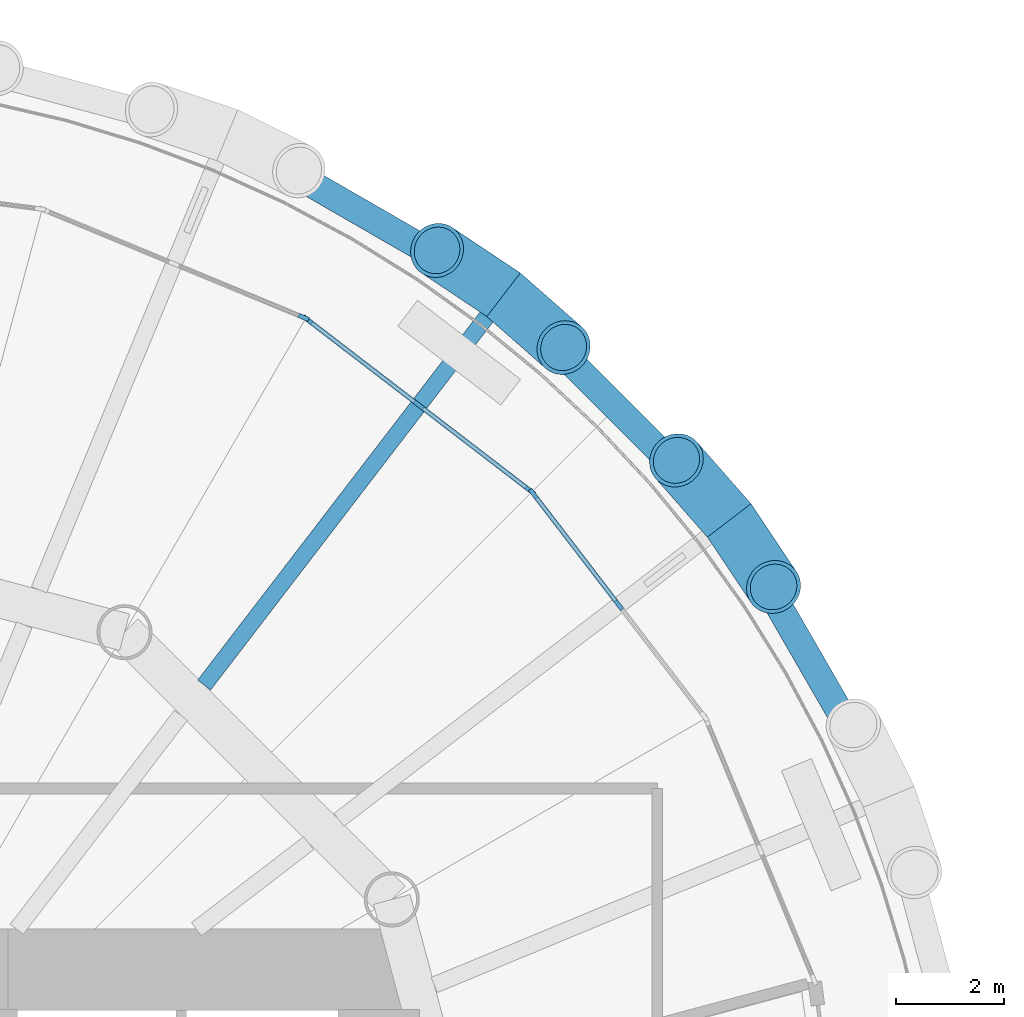
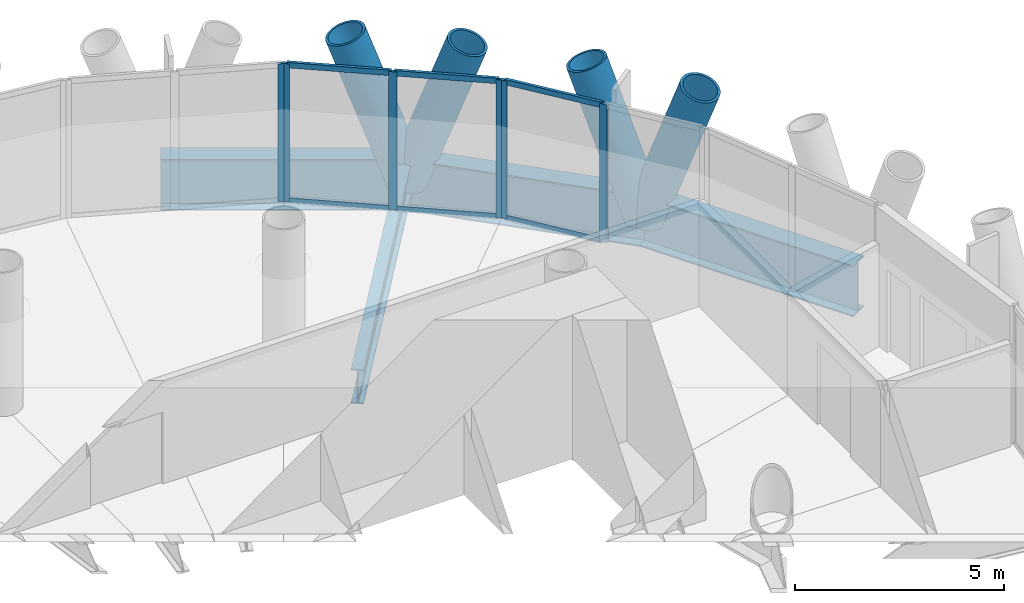
# One storey, part 6 of 13: 16 members, 4 beams, 3 elements without a shape of their own.
"""IFC4 building model written with IfcOpenShell, lengths in metres."""

from ifc_helpers import new_model, si_unit, direction, frame, origin, origin_2d, place, context, subcontext, project, spatial, rectangle, hollow_circle, i_section, extrude, material, material_profile, profile_set, type_object, element, aggregate, save


model = new_model("IFC4")

# Units and contexts
model_context = context("Model", 3, precision=1e-05, world=origin(), true_north=direction((0.0, 1.0)))
body_context = subcontext(model_context, "Body", "Model", "MODEL_VIEW")
ifc_project = project(units=[si_unit("LENGTHUNIT", "METRE"), si_unit("AREAUNIT", "SQUARE_METRE"), si_unit("VOLUMEUNIT", "CUBIC_METRE"), si_unit("PLANEANGLEUNIT", "RADIAN"), si_unit("MASSUNIT", "GRAM", prefix="KILO")], contexts=[model_context])

# Site, building, storey
site_placement = place(None, origin())
site = spatial("IfcSite", under=ifc_project, at=site_placement, CompositionType="ELEMENT")
building_placement = place(site_placement, origin())
building = spatial("IfcBuilding", under=site, at=building_placement, Name="Qaws Media Tower", CompositionType="ELEMENT")
storey_placement = place(building_placement, frame((0.0, 0.0, 219.199951171875)))
storey = spatial("IfcBuildingStorey", under=building, at=storey_placement, Name="L50", CompositionType="ELEMENT", Elevation=219.199951171875)

# Curtain wall, members
ifc_material_1 = material(Name="Aluminium and clear glass", Category="aluminium")
curtain_wall_type = type_object("IfcCurtainWallType", Name="Unitised curtain wall CW-C", PredefinedType="NOTDEFINED", material=ifc_material_1)
curtain_wall_1_placement = place(storey_placement, origin())
curtain_wall_1 = element("IfcCurtainWall", 1, at=curtain_wall_1_placement, inside=storey, type_object=curtain_wall_type, Name="CWC curtain wall L50-03", PredefinedType="NOTDEFINED")
ifc_material_2 = material(Name="Aluminium mullion", Category="aluminium")
ifc_material_profile_1 = material_profile(ifc_material_2, rectangle(XDim=0.080078125, YDim=0.199951171875, at=origin_2d()), Name="80x200")
ifc_profile_set_1 = profile_set([ifc_material_profile_1], Name="Aluminium mullion")
member_type_1 = type_object("IfcMemberType", Name="Curtain wall mullion 80x200", PredefinedType="MULLION", material=ifc_profile_set_1)
member_1_placement = place(storey_placement, frame((75.888671875, 62.19189453125, 0.0), z_axis=(0.0, 0.0, 1.0), x_axis=(-0.793353357865, -0.608761406106, 0.0)))
member_1 = element("IfcMember", 2, at=member_1_placement, type_object=member_type_1, Name="CWC mullion 2", PredefinedType="MULLION", context=body_context, shape_type="SweptSolid", body=[
    extrude(rectangle(XDim=0.080078125, YDim=0.199951171875, at=origin_2d()), origin(), (0.0, 0.0, 1.0), 4.0400390625),
])
member_2_placement = place(storey_placement, frame((74.307861328125, 64.251708984375, 0.0), z_axis=(0.0, 0.0, 1.0), x_axis=(-0.793353357865, -0.608761406106, 0.0)))
member_2 = element("IfcMember", 3, at=member_2_placement, type_object=member_type_1, Name="CWC mullion 3", PredefinedType="MULLION", context=body_context, shape_type="SweptSolid", body=[
    extrude(rectangle(XDim=0.080078125, YDim=0.199951171875, at=origin_2d()), origin(), (0.0, 0.0, 1.0), 4.0400390625),
])

curtain_wall_2_placement = place(storey_placement, origin())
curtain_wall_2 = element("IfcCurtainWall", 4, at=curtain_wall_2_placement, inside=storey, type_object=curtain_wall_type, Name="CWC curtain wall L50-04", PredefinedType="NOTDEFINED")
member_3_placement = place(storey_placement, frame((74.251708984375, 64.307861328125, 0.0), z_axis=(0.0, 0.0, 1.0), x_axis=(-0.608761406106, -0.793353357865, 0.0)))
member_3 = element("IfcMember", 5, at=member_3_placement, type_object=member_type_1, Name="CWC mullion 1", PredefinedType="MULLION", context=body_context, shape_type="SweptSolid", body=[
    extrude(rectangle(XDim=0.080078125, YDim=0.199951171875, at=origin_2d()), origin(), (0.0, 0.0, 1.0), 4.0400390625),
])
member_4_placement = place(storey_placement, frame((72.19189453125, 65.888671875, 0.0), z_axis=(0.0, 0.0, 1.0), x_axis=(-0.608761406106, -0.793353357865, 0.0)))
member_4 = element("IfcMember", 6, at=member_4_placement, type_object=member_type_1, Name="CWC mullion 2", PredefinedType="MULLION", context=body_context, shape_type="SweptSolid", body=[
    extrude(rectangle(XDim=0.080078125, YDim=0.199951171875, at=origin_2d()), origin(), (0.0, 0.0, 1.0), 4.0400390625),
])
member_5_placement = place(storey_placement, frame((70.1318359375, 67.469482421875, 0.0), z_axis=(0.0, 0.0, 1.0), x_axis=(-0.608761406106, -0.793353357865, 0.0)))
member_5 = element("IfcMember", 7, at=member_5_placement, type_object=member_type_1, Name="CWC mullion 3", PredefinedType="MULLION", context=body_context, shape_type="SweptSolid", body=[
    extrude(rectangle(XDim=0.080078125, YDim=0.199951171875, at=origin_2d()), origin(), (0.0, 0.0, 1.0), 4.0400390625),
])

# Curtain wall, member
curtain_wall_3_placement = place(storey_placement, origin())
curtain_wall_3 = element("IfcCurtainWall", 8, at=curtain_wall_3_placement, inside=storey, type_object=curtain_wall_type, Name="CWC curtain wall L50-05", PredefinedType="NOTDEFINED")
member_6_placement = place(storey_placement, frame((70.06298828125, 67.509033203125, 0.0), z_axis=(0.0, 0.0, 1.0), x_axis=(-0.382683527066, -0.923879493285, 0.0)))
member_6 = element("IfcMember", 9, at=member_6_placement, type_object=member_type_1, Name="CWC mullion 1", PredefinedType="MULLION", context=body_context, shape_type="SweptSolid", body=[
    extrude(rectangle(XDim=0.080078125, YDim=0.199951171875, at=origin_2d()), origin(), (0.0, 0.0, 1.0), 4.0400390625),
])
aggregate(curtain_wall_3, [member_6])

# Member
ifc_material_3 = material(Name="Aluminium transom", Category="aluminium")
ifc_material_profile_2 = material_profile(ifc_material_3, rectangle(XDim=0.080078125, YDim=0.159912109375, at=origin_2d()), Name="80x160")
ifc_profile_set_2 = profile_set([ifc_material_profile_2], Name="Aluminium transom")
member_type_2 = type_object("IfcMemberType", Name="Curtain wall transom 80x160", PredefinedType="USERDEFINED", material=ifc_profile_set_2)
member_7_placement = place(storey_placement, frame((75.8642578125, 62.2236328125, 0.0400390625), z_axis=(-0.608796065599, 0.793326761499, 0.0), x_axis=(-0.793326761499, -0.608796065599, 0.0)))
member_7 = element("IfcMember", 10, at=member_7_placement, type_object=member_type_2, Name="CWC transom 2.1", ObjectType="TRANSOM", PredefinedType="USERDEFINED", context=body_context, shape_type="SweptSolid", body=[
    extrude(rectangle(XDim=0.080078125, YDim=0.159912109375, at=origin_2d()), origin(), (0.0, 0.0, 1.0), 2.516357421875),
])

member_8_placement = place(storey_placement, frame((75.8642578125, 62.2236328125, 4.0), z_axis=(-0.608796065599, 0.793326761499, 0.0), x_axis=(-0.793326761499, -0.608796065599, 0.0)))
member_8 = element("IfcMember", 11, at=member_8_placement, type_object=member_type_2, Name="CWC transom 2.2", ObjectType="TRANSOM", PredefinedType="USERDEFINED", context=body_context, shape_type="SweptSolid", body=[
    extrude(rectangle(XDim=0.080078125, YDim=0.159912109375, at=origin_2d()), origin(), (0.0, 0.0, 1.0), 2.516357421875),
])

aggregate(curtain_wall_1, [member_1, member_2, member_7, member_8])

member_9_placement = place(storey_placement, frame((74.219970703125, 64.332275390625, 0.0400390625), z_axis=(-0.793326761499, 0.608796065599, 0.0), x_axis=(-0.608796065599, -0.793326761499, 0.0)))
member_9 = element("IfcMember", 12, at=member_9_placement, type_object=member_type_2, Name="CWC transom 1.1", ObjectType="TRANSOM", PredefinedType="USERDEFINED", context=body_context, shape_type="SweptSolid", body=[
    extrude(rectangle(XDim=0.080078125, YDim=0.159912109375, at=origin_2d()), origin(), (0.0, 0.0, 1.0), 2.516357421875),
])

member_10_placement = place(storey_placement, frame((74.219970703125, 64.332275390625, 4.0), z_axis=(-0.793326761499, 0.608796065599, 0.0), x_axis=(-0.608796065599, -0.793326761499, 0.0)))
member_10 = element("IfcMember", 13, at=member_10_placement, type_object=member_type_2, Name="CWC transom 1.2", ObjectType="TRANSOM", PredefinedType="USERDEFINED", context=body_context, shape_type="SweptSolid", body=[
    extrude(rectangle(XDim=0.080078125, YDim=0.159912109375, at=origin_2d()), origin(), (0.0, 0.0, 1.0), 2.516357421875),
])

member_11_placement = place(storey_placement, frame((72.16015625, 65.9130859375, 0.0400390625), z_axis=(-0.793362715866, 0.608749210327, 0.0), x_axis=(-0.608749210327, -0.793362715866, 0.0)))
member_11 = element("IfcMember", 14, at=member_11_placement, type_object=member_type_2, Name="CWC transom 2.1", ObjectType="TRANSOM", PredefinedType="USERDEFINED", context=body_context, shape_type="SweptSolid", body=[
    extrude(rectangle(XDim=0.080078125, YDim=0.159912109375, at=origin_2d()), origin(), (0.0, 0.0, 1.0), 2.5166015625),
])

member_12_placement = place(storey_placement, frame((72.16015625, 65.9130859375, 4.0), z_axis=(-0.793362715866, 0.608749210327, 0.0), x_axis=(-0.608749210327, -0.793362715866, 0.0)))
member_12 = element("IfcMember", 15, at=member_12_placement, type_object=member_type_2, Name="CWC transom 2.2", ObjectType="TRANSOM", PredefinedType="USERDEFINED", context=body_context, shape_type="SweptSolid", body=[
    extrude(rectangle(XDim=0.080078125, YDim=0.159912109375, at=origin_2d()), origin(), (0.0, 0.0, 1.0), 2.5166015625),
])

aggregate(curtain_wall_2, [member_3, member_4, member_5, member_9, member_10, member_11, member_12])

# Members
ifc_material_4 = material(Name="Steel S460", Category="steel")
ifc_material_profile_3 = material_profile(ifc_material_4, hollow_circle(Radius=0.508056640625, WallThickness=0.070068359375, at=origin_2d()), Name="CHS 1016x70")
ifc_profile_set_3 = profile_set([ifc_material_profile_3], Name="Steel S460")
member_type_3 = type_object("IfcMemberType", Name="Diagrid member CHS 1016x70", PredefinedType="USERDEFINED", material=ifc_profile_set_3)
member_13_placement = place(storey_placement, frame((77.9296875, 63.758056640625, -0.909912109375), z_axis=(-0.219115557544, 0.249328938977, 0.943304538646), x_axis=(-0.751152487115, -0.660128730704, 0.0)))
element("IfcMember", 16, at=member_13_placement, inside=storey, type_object=member_type_3, Name="DG3 diagrid L50 A03", ObjectType="DIAGRID", PredefinedType="USERDEFINED", context=body_context, shape_type="SweptSolid", body=[
    extrude(hollow_circle(Radius=0.508056640625, WallThickness=0.070068359375, at=origin_2d()), origin(), (0.0, 0.0, 1.0), 4.452392578125),
])
for number, where, z_axis, x_axis, name in (
    (17, (77.9296875, 63.758056640625, -0.909912109375), (0.184180633608, -0.27624353442, 0.943274617434), (0.832024885798, 0.554738307145, 0.0), "DG3 diagrid L50 B03"),
    (18, (73.758056640625, 67.9296875, -0.909912109375), (-0.27624353442, 0.184180633608, 0.943274617434), (-0.554738307145, -0.832024885798, 0.0), "DG3 diagrid L50 A04"),
):
    element("IfcMember", number, at=place(storey_placement, frame(where, z_axis=z_axis, x_axis=x_axis)), inside=storey, type_object=member_type_3, Name=name, ObjectType="DIAGRID", PredefinedType="USERDEFINED", context=body_context, shape_type="SweptSolid", body=[
        extrude(hollow_circle(Radius=0.508056640625, WallThickness=0.070068359375, at=origin_2d()), origin(), (0.0, 0.0, 1.0), 4.45263671875),
    ])
member_14_placement = place(storey_placement, frame((73.758056640625, 67.9296875, -0.909912109375), z_axis=(0.249328938977, -0.219115557544, 0.943304538646), x_axis=(0.660128730704, 0.751152487115, 0.0)))
element("IfcMember", 19, at=member_14_placement, inside=storey, type_object=member_type_3, Name="DG3 diagrid L50 B04", ObjectType="DIAGRID", PredefinedType="USERDEFINED", context=body_context, shape_type="SweptSolid", body=[
    extrude(hollow_circle(Radius=0.508056640625, WallThickness=0.070068359375, at=origin_2d()), origin(), (0.0, 0.0, 1.0), 4.452392578125),
])

# Beams
ifc_material_5 = material(Name="Steel S460", Category="steel")
ifc_material_profile_4 = material_profile(ifc_material_5, i_section(OverallWidth=0.5, OverallDepth=1.5, WebThickness=0.02001953125, FlangeThickness=0.0400390625, at=origin_2d()), Name="PG 1500x500")
ifc_profile_set_4 = profile_set([ifc_material_profile_4], Name="Steel S460")
beam_type_1 = type_object("IfcBeamType", Name="Edge ring beam PG 1500x500", PredefinedType="BEAM", material=ifc_profile_set_4)
beam_1_placement = place(storey_placement, frame((80.879638671875, 58.648681640625, -0.909912109375), z_axis=(-0.500006628179, 0.86602157697, 0.0), x_axis=(-0.86602157697, -0.500006628179, 0.0)))
element("IfcBeam", 20, at=beam_1_placement, inside=storey, type_object=beam_type_1, Name="RB4 edge ring beam L50-02", PredefinedType="BEAM", context=body_context, shape_type="SweptSolid", body=[
    extrude(i_section(OverallWidth=0.5, OverallDepth=1.5, WebThickness=0.02001953125, FlangeThickness=0.0400390625, at=origin_2d()), origin(), (0.0, 0.0, 1.0), 5.89990234375),
])
beam_2_placement = place(storey_placement, frame((77.9296875, 63.758056640625, -0.909912109375), z_axis=(-0.707106781187, 0.707106781187, 0.0), x_axis=(-0.707106781187, -0.707106781187, 0.0)))
element("IfcBeam", 21, at=beam_2_placement, inside=storey, type_object=beam_type_1, Name="RB4 edge ring beam L50-03", PredefinedType="BEAM", context=body_context, shape_type="SweptSolid", body=[
    extrude(i_section(OverallWidth=0.5, OverallDepth=1.5, WebThickness=0.02001953125, FlangeThickness=0.0400390625, at=origin_2d()), origin(), (0.0, 0.0, 1.0), 5.899658203125),
])
beam_3_placement = place(storey_placement, frame((73.758056640625, 67.9296875, -0.909912109375), z_axis=(-0.86602157697, 0.500006628179, 0.0), x_axis=(-0.500006628179, -0.86602157697, 0.0)))
element("IfcBeam", 22, at=beam_3_placement, inside=storey, type_object=beam_type_1, Name="RB4 edge ring beam L50-04", PredefinedType="BEAM", context=body_context, shape_type="SweptSolid", body=[
    extrude(i_section(OverallWidth=0.5, OverallDepth=1.5, WebThickness=0.02001953125, FlangeThickness=0.0400390625, at=origin_2d()), origin(), (0.0, 0.0, 1.0), 5.89990234375),
])
ifc_material_6 = material(Name="Steel S355", Category="steel")
ifc_material_profile_5 = material_profile(ifc_material_6, i_section(OverallWidth=0.302001953125, OverallDepth=1.008056640625, WebThickness=0.02099609375, FlangeThickness=0.0400390625, FilletRadius=0.030029296875, at=origin_2d()), Name="HE 1000 M")
ifc_profile_set_5 = profile_set([ifc_material_profile_5], Name="Steel S355")
beam_type_2 = type_object("IfcBeamType", Name="Radial beam HE 1000 M", PredefinedType="BEAM", material=ifc_profile_set_5)
beam_4_placement = place(storey_placement, frame((68.2216796875, 60.714599609375, -0.6640625), z_axis=(0.608764563717, 0.793350934935, 0.0), x_axis=(-0.793350934935, 0.608764563717, 0.0)))
element("IfcBeam", 23, at=beam_4_placement, inside=storey, type_object=beam_type_2, Name="B1 radial beam L50 04", PredefinedType="BEAM", context=body_context, shape_type="SweptSolid", body=[
    extrude(i_section(OverallWidth=0.302001953125, OverallDepth=1.008056640625, WebThickness=0.02099609375, FlangeThickness=0.0400390625, FilletRadius=0.030029296875, at=origin_2d()), origin(), (0.0, 0.0, 1.0), 9.094482421875),
])

save(model, "model.ifc")
